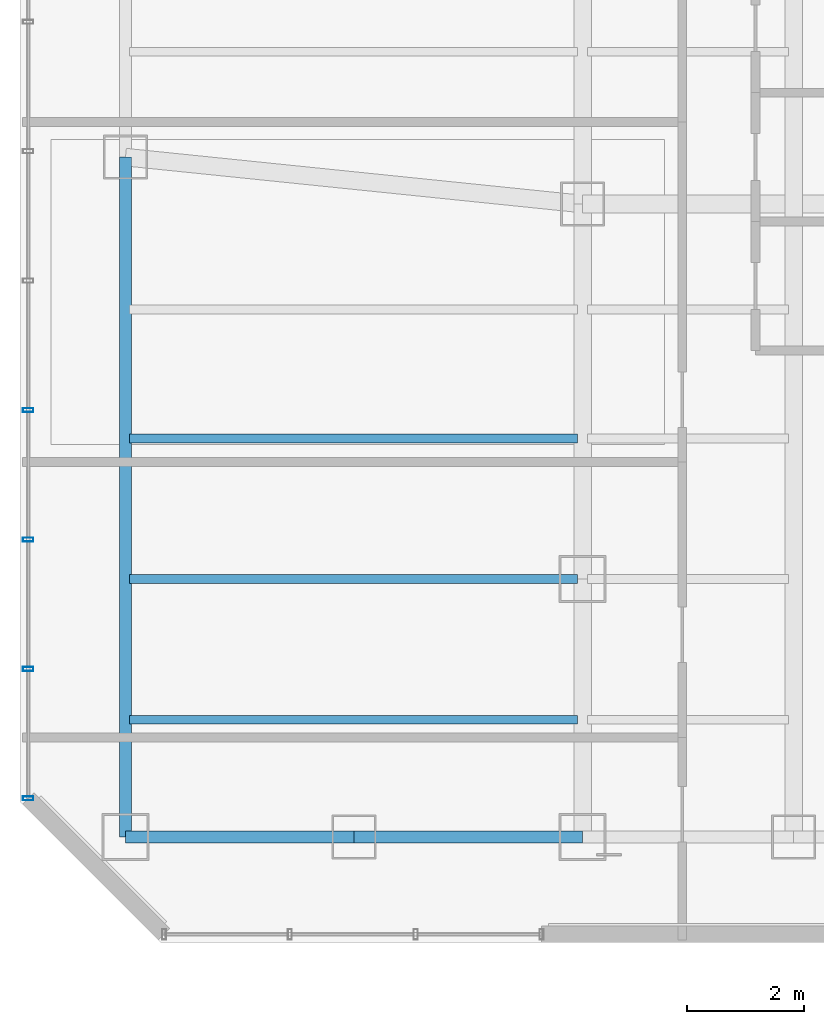
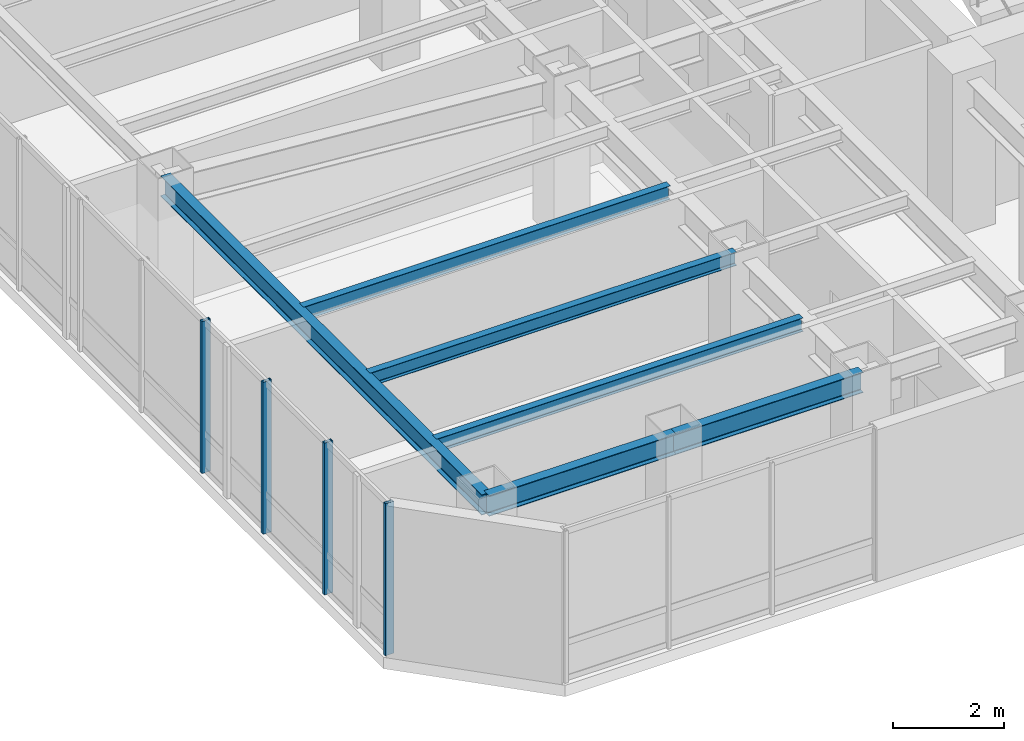
# One storey, part 4 of 27: 6 beams, 4 members, 1 element without a shape of its own.
"""IFC4 building model written with IfcOpenShell, lengths in metres."""

import ifcopenshell
import ifcopenshell.guid

model = None  # the IFC model being written
_history = None  # IfcOwnerHistory: only IFC2X3 demands one
_inside = {}  # id of a spatial element -> (the spatial element, [elements in it])
_under = {}  # id of a project, library or spatial element -> (it, [spatial elements below it])
_declared = {}  # id of a project -> (the project, [libraries it declares])
_typed = {}  # id of a type object -> (the type object, [elements of that type])
_made_of = {}  # id of a material, layer set ... -> (it, [elements and type objects made of it])


def new_model(schema):
    """Start an empty IFC model of exactly this schema.

    Asked for "IFC4X3", IfcOpenShell would pick the latest addendum, in which some entities
    have other attributes; the version numbers below select the first issue.
    IFC2X3 requires an IfcOwnerHistory on every rooted entity: one is made here for all.
    """
    global model, _history
    if schema == "IFC4X3":
        model = ifcopenshell.file(schema_version=(4, 3, 0, 0))
    else:
        model = ifcopenshell.file(schema=schema)
    _inside.clear()
    _under.clear()
    _declared.clear()
    _typed.clear()
    _made_of.clear()
    _history = None
    if model.schema == "IFC2X3":
        org = make("IfcOrganization", Name="unknown")
        user = make(
            "IfcPersonAndOrganization",
            ThePerson=make("IfcPerson", FamilyName="unknown"),
            TheOrganization=org,
        )
        app = make(
            "IfcApplication",
            ApplicationDeveloper=org,
            Version="unknown",
            ApplicationFullName="unknown",
            ApplicationIdentifier="unknown",
        )
        _history = make(
            "IfcOwnerHistory",
            OwningUser=user,
            OwningApplication=app,
            ChangeAction="ADDED",
            CreationDate=0,
        )
    return model


def make(cls, **values):
    """One entity of the class cls with the attributes given. An attribute that is None is left unset."""
    return model.create_entity(
        cls, **{name: value for name, value in values.items() if value is not None}
    )


def rooted(cls, **values):
    """An entity with a GlobalId (a new one), such as an element, a storey or a relation."""
    return make(cls, GlobalId=ifcopenshell.guid.new(), OwnerHistory=_history, **values)


def si_unit(unit_type, name, prefix=None):
    """IfcSIUnit, for example si_unit("LENGTHUNIT", "METRE", prefix="MILLI")."""
    return make("IfcSIUnit", UnitType=unit_type, Prefix=prefix, Name=name)


def assignment(units):
    """IfcUnitAssignment: the units of a project."""
    return None if units is None else make("IfcUnitAssignment", Units=units)


def point(xyz):
    """IfcCartesianPoint."""
    return None if xyz is None else make("IfcCartesianPoint", Coordinates=xyz)


def direction(xyz):
    """IfcDirection."""
    return None if xyz is None else make("IfcDirection", DirectionRatios=xyz)


def frame(location, z_axis=None, x_axis=None):
    """IfcAxis2Placement3D, a coordinate frame: its origin and axes. An axis left out is left unset."""
    return make(
        "IfcAxis2Placement3D",
        Location=point(location),
        Axis=direction(z_axis),
        RefDirection=direction(x_axis),
    )


def frame_2d(location, x_axis=None):
    """IfcAxis2Placement2D, a coordinate frame in the plane: its origin and x axis."""
    return make(
        "IfcAxis2Placement2D", Location=point(location), RefDirection=direction(x_axis)
    )


def origin():
    """The frame at (0, 0, 0) with its axes left unset."""
    return frame((0.0, 0.0, 0.0))


def origin_2d():
    """The frame at (0, 0) in the plane with its x axis left unset."""
    return frame_2d((0.0, 0.0))


def place(relative_to, where):
    """IfcLocalPlacement: puts the frame where relative to a parent placement (None: the world)."""
    return make(
        "IfcLocalPlacement", PlacementRelTo=relative_to, RelativePlacement=where
    )


def context(
    kind, dimensions, precision=None, world=None, true_north=None, identifier=None
):
    """IfcGeometricRepresentationContext, for example the 3D "Model" context."""
    return make(
        "IfcGeometricRepresentationContext",
        ContextIdentifier=identifier,
        ContextType=kind,
        CoordinateSpaceDimension=dimensions,
        Precision=precision,
        WorldCoordinateSystem=world,
        TrueNorth=true_north,
    )


def subcontext(parent, identifier, kind, view, scale=None):
    """IfcGeometricRepresentationSubContext, for example "Body" below "Model"."""
    return make(
        "IfcGeometricRepresentationSubContext",
        ContextIdentifier=identifier,
        ContextType=kind,
        ParentContext=parent,
        TargetScale=scale,
        TargetView=view,
    )


def project(units=None, contexts=None):
    """IfcProject with its units and contexts."""
    return rooted(
        "IfcProject",
        Name="project",
        RepresentationContexts=contexts,
        UnitsInContext=assignment(units),
    )


def spatial(cls, under=None, at=None, **own):
    """A site, building, storey or space (cls), placed at a placement, below another one or the project."""
    s = rooted(cls, ObjectPlacement=at, **own)
    if under is not None:
        _under.setdefault(under.id(), (under, []))[1].append(s)
    return s


def profile(cls, at=None, kind="AREA", **sizes):
    """A parametric profile (cls). Its sizes go by their IFC names, for example OverallWidth=200.0."""
    return make(cls, ProfileType=kind, Position=at, **sizes)


def hollow_rectangle(**sizes):
    """IfcRectangleHollowProfileDef."""
    return profile("IfcRectangleHollowProfileDef", **sizes)


def i_section(**sizes):
    """IfcIShapeProfileDef."""
    return profile("IfcIShapeProfileDef", **sizes)


def extrude(swept, where, along, depth):
    """IfcExtrudedAreaSolid: the profile swept, set in the frame where, extruded along a direction by depth."""
    return make(
        "IfcExtrudedAreaSolid",
        SweptArea=swept,
        Position=where,
        ExtrudedDirection=direction(along),
        Depth=depth,
    )


def shape(context_of_items, identifier, shape_type, items):
    """IfcShapeRepresentation: the items that make up one representation, for example the "Body"."""
    return make(
        "IfcShapeRepresentation",
        ContextOfItems=context_of_items,
        RepresentationIdentifier=identifier,
        RepresentationType=shape_type,
        Items=items,
    )


def material(Name=None, Category=None):
    """IfcMaterial."""
    return make("IfcMaterial", Name=Name, Category=Category)


def layer(
    of_material, thickness, ventilated=None, Name=None, Category=None, Priority=None
):
    """IfcMaterialLayer: one layer of a wall or slab, of a material (None: an air gap)."""
    return make(
        "IfcMaterialLayer",
        Material=of_material,
        LayerThickness=thickness,
        IsVentilated=ventilated,
        Name=Name,
        Category=Category,
        Priority=Priority,
    )


def layer_set(layers, Name=None):
    """IfcMaterialLayerSet."""
    return make("IfcMaterialLayerSet", MaterialLayers=layers, LayerSetName=Name)


def material_profile(
    of_material, cross_section, Name=None, Category=None, Priority=None
):
    """IfcMaterialProfile: a cross section and its material."""
    return make(
        "IfcMaterialProfile",
        Name=Name,
        Material=of_material,
        Profile=cross_section,
        Priority=Priority,
        Category=Category,
    )


def profile_set(profiles, Name=None, composite=None):
    """IfcMaterialProfileSet."""
    return make(
        "IfcMaterialProfileSet",
        Name=Name,
        MaterialProfiles=profiles,
        CompositeProfile=composite,
    )


def made_of(thing, what):
    """Note that an element or type object is made of a material, layer set ...; save() writes the relation."""
    if what is not None:
        _made_of.setdefault(what.id(), (what, []))[1].append(thing)
    return thing


def type_object(cls, material=None, **own):
    """A type object (cls), such as IfcWallType, which elements share."""
    return made_of(rooted(cls, **own), material)


def element(
    cls,
    number,
    at=None,
    inside=None,
    cuts=None,
    type_object=None,
    material=None,
    context=None,
    identifier="Body",
    shape_type=None,
    held_by="IfcProductDefinitionShape",
    body=None,
    shapes=None,
    **own,
):
    """One element of the class cls, such as IfcWall. Its Tag is "e" and its number.

    at: its placement. inside: the storey or other place that contains it. cuts: it is an
    opening in that element (IfcRelVoidsElement). A single representation is given by context,
    identifier, shape_type and body (its items); several are given by shapes. held_by: the class
    of the entity that holds the representations. save() writes the other relations.
    """
    e = rooted(cls, Tag="e%d" % number, ObjectPlacement=at, **own)
    if body is not None:
        shapes = [shape(context, identifier, shape_type, body)]
    if shapes is not None:
        e.Representation = make(held_by, Representations=shapes)
    if inside is not None:
        _inside.setdefault(inside.id(), (inside, []))[1].append(e)
    if cuts is not None:
        rooted(
            "IfcRelVoidsElement", RelatingBuildingElement=cuts, RelatedOpeningElement=e
        )
    if type_object is not None:
        _typed.setdefault(type_object.id(), (type_object, []))[1].append(e)
    return made_of(e, material)


def aggregate(whole, parts):
    """IfcRelAggregates: a whole, such as a stair, and the parts it consists of."""
    return rooted("IfcRelAggregates", RelatingObject=whole, RelatedObjects=parts)


def save(model, path):
    """Write the relations noted so far, then the file.

    IfcRelAggregates (storeys below a building ...), IfcRelContainedInSpatialStructure (elements
    in a storey), IfcRelDefinesByType, IfcRelAssociatesMaterial and IfcRelDeclares: one each for
    every whole, place, type object, material and project.
    """
    for whole, parts in _under.values():
        aggregate(whole, parts)
    for where, things in _inside.values():
        rooted(
            "IfcRelContainedInSpatialStructure",
            RelatedElements=things,
            RelatingStructure=where,
        )
    for kind, things in _typed.values():
        rooted("IfcRelDefinesByType", RelatedObjects=things, RelatingType=kind)
    for what, things in _made_of.values():
        rooted("IfcRelAssociatesMaterial", RelatedObjects=things, RelatingMaterial=what)
    for by, libraries in _declared.values():
        rooted("IfcRelDeclares", RelatingContext=by, RelatedDefinitions=libraries)
    model.write(path)


model = new_model("IFC4")

# Units and contexts
model_context = context("Model", 3, precision=1e-05, world=origin(), true_north=direction((0.0, 1.0)))
body_context = subcontext(model_context, "Body", "Model", "MODEL_VIEW")
ifc_project = project(units=[si_unit("LENGTHUNIT", "METRE"), si_unit("AREAUNIT", "SQUARE_METRE"), si_unit("VOLUMEUNIT", "CUBIC_METRE"), si_unit("PLANEANGLEUNIT", "RADIAN"), si_unit("MASSUNIT", "GRAM", prefix="KILO")], contexts=[model_context])

# Site, building, storey
site_placement = place(None, origin())
site = spatial("IfcSite", under=ifc_project, at=site_placement, CompositionType="ELEMENT")
building_placement = place(site_placement, origin())
building = spatial("IfcBuilding", under=site, at=building_placement, Name="Hatsunagi Terrace Concourse", CompositionType="ELEMENT")
storey_placement = place(building_placement, frame((0.0, 0.0, 163.64990234375)))
storey = spatial("IfcBuildingStorey", under=building, at=storey_placement, Name="L43", CompositionType="ELEMENT", Elevation=163.64990234375)

# Curtain wall, members
ifc_material_1 = material(Name="Anodised Aluminium Alloy 6063-T5", Category="aluminium")
ifc_layer = layer(ifc_material_1, 0.199951171875)
ifc_layer_set = layer_set([ifc_layer], Name="OfficeZone1_CW03")
curtain_wall_type = type_object("IfcCurtainWallType", Name="OfficeZone1_CW03", PredefinedType="NOTDEFINED", material=ifc_layer_set)
curtain_wall_placement = place(storey_placement, origin())
curtain_wall = element("IfcCurtainWall", 1, at=curtain_wall_placement, inside=storey, type_object=curtain_wall_type, Name="Unitised Curtain Wall CW-03 CW-L43-09", PredefinedType="NOTDEFINED")
ifc_material_2 = material(Name="Anodised Aluminium Alloy 6063-T5", Category="aluminium")
ifc_material_profile_1 = material_profile(ifc_material_2, hollow_rectangle(XDim=0.070068359375, YDim=0.179931640625, WallThickness=0.00390625, at=origin_2d()), Name="ALU-MUL-180x70x4")
ifc_profile_set_1 = profile_set([ifc_material_profile_1], Name="Anodised Aluminium Alloy 6063-T5")
member_type = type_object("IfcMemberType", Name="CurtainWallMullion_180x70", PredefinedType="MULLION", material=ifc_profile_set_1)
member_1_placement = place(storey_placement, frame((9.739990234375, 25.85791015625, 0.0), z_axis=(0.0, 0.0, 1.0), x_axis=(0.0, 1.0, 0.0)))
member_1 = element("IfcMember", 2, at=member_1_placement, type_object=member_type, Name="Curtain Wall Mullion MUL-02", PredefinedType="MULLION", context=body_context, shape_type="SweptSolid", body=[
    extrude(hollow_rectangle(XDim=0.070068359375, YDim=0.179931640625, WallThickness=0.00390625, at=origin_2d()), origin(), (0.0, 0.0, 1.0), 3.35009765625),
])
member_2_placement = place(storey_placement, frame((9.739990234375, 28.06591796875, 0.0), z_axis=(0.0, 0.0, 1.0), x_axis=(0.0, 1.0, 0.0)))
member_2 = element("IfcMember", 3, at=member_2_placement, type_object=member_type, Name="Curtain Wall Mullion MUL-02", PredefinedType="MULLION", context=body_context, shape_type="SweptSolid", body=[
    extrude(hollow_rectangle(XDim=0.070068359375, YDim=0.179931640625, WallThickness=0.00390625, at=origin_2d()), origin(), (0.0, 0.0, 1.0), 3.35009765625),
])
member_3_placement = place(storey_placement, frame((9.739990234375, 30.27490234375, 0.0), z_axis=(0.0, 0.0, 1.0), x_axis=(0.0, 1.0, 0.0)))
member_3 = element("IfcMember", 4, at=member_3_placement, type_object=member_type, Name="Curtain Wall Mullion MUL-02", PredefinedType="MULLION", context=body_context, shape_type="SweptSolid", body=[
    extrude(hollow_rectangle(XDim=0.070068359375, YDim=0.179931640625, WallThickness=0.00390625, at=origin_2d()), origin(), (0.0, 0.0, 1.0), 3.35009765625),
])
member_4_placement = place(storey_placement, frame((9.739990234375, 32.48291015625, 0.0), z_axis=(0.0, 0.0, 1.0), x_axis=(0.0, 1.0, 0.0)))
member_4 = element("IfcMember", 5, at=member_4_placement, type_object=member_type, Name="Curtain Wall Mullion MUL-02", PredefinedType="MULLION", context=body_context, shape_type="SweptSolid", body=[
    extrude(hollow_rectangle(XDim=0.070068359375, YDim=0.179931640625, WallThickness=0.00390625, at=origin_2d()), origin(), (0.0, 0.0, 1.0), 3.35009765625),
])
aggregate(curtain_wall, [member_1, member_2, member_3, member_4])

# Beams
ifc_material_3 = material(Name="Steel SN490B", Category="steel")
ifc_material_profile_2 = material_profile(ifc_material_3, i_section(OverallWidth=0.14990234375, OverallDepth=0.300048828125, WebThickness=0.006591796875, FlangeThickness=0.009033203125, FilletRadius=0.010986328125, at=origin_2d()), Name="H-300x150x6.5x9")
ifc_profile_set_2 = profile_set([ifc_material_profile_2], Name="Steel SN490B")
beam_type_1 = type_object("IfcBeamType", Name="OfficeJoist_H_300x150", PredefinedType="JOIST", material=ifc_profile_set_2)
for number, where, z_axis, x_axis, name in (
    (6, (11.465087890625, 27.199951171875, 3.2001953125), (1.0, 0.0, 0.0), (0.0, 1.0, 0.0), "Beam J-03 J-L43-W-11-272"),
    (7, (11.465087890625, 29.60009765625, 3.2001953125), (1.0, 0.0, 0.0), (0.0, 1.0, 0.0), "Beam J-03 J-L43-W-11-296"),
    (8, (11.465087890625, 32.0, 3.2001953125), (1.0, 0.0, 0.0), (0.0, 1.0, 0.0), "Beam J-03 J-L43-W-11-320"),
):
    element("IfcBeam", number, at=place(storey_placement, frame(where, z_axis=z_axis, x_axis=x_axis)), inside=storey, type_object=beam_type_1, Name=name, PredefinedType="JOIST", context=body_context, shape_type="SweptSolid", body=[
        extrude(i_section(OverallWidth=0.14990234375, OverallDepth=0.300048828125, WebThickness=0.006591796875, FlangeThickness=0.009033203125, FilletRadius=0.010986328125, at=origin_2d()), origin(), (0.0, 0.0, 1.0), 7.64990234375),
    ])
ifc_material_4 = material(Name="Steel SN490B", Category="steel")
ifc_material_profile_3 = material_profile(ifc_material_4, i_section(OverallWidth=0.199951171875, OverallDepth=0.449951171875, WebThickness=0.009033203125, FlangeThickness=0.013916015625, FilletRadius=0.01611328125, at=origin_2d()), Name="H-450x200x9x14")
ifc_profile_set_3 = profile_set([ifc_material_profile_3], Name="Steel SN490B")
beam_type_2 = type_object("IfcBeamType", Name="PerimeterSpandrel_H_450x200", PredefinedType="SPANDREL", material=ifc_profile_set_3)
beam_1_placement = place(storey_placement, frame((11.39990234375, 25.199951171875, 3.125), z_axis=(1.0, 0.0, 0.0), x_axis=(0.0, 1.0, 0.0)))
element("IfcBeam", 9, at=beam_1_placement, inside=storey, type_object=beam_type_2, Name="Beam SP-02 BM-L43-WS-11", PredefinedType="SPANDREL", context=body_context, shape_type="SweptSolid", body=[
    extrude(i_section(OverallWidth=0.199951171875, OverallDepth=0.449951171875, WebThickness=0.009033203125, FlangeThickness=0.013916015625, FilletRadius=0.01611328125, at=origin_2d()), origin(), (0.0, 0.0, 1.0), 3.900146484375),
])
beam_2_placement = place(storey_placement, frame((15.300048828125, 25.199951171875, 3.125), z_axis=(1.0, 0.0, 0.0), x_axis=(0.0, 1.0, 0.0)))
element("IfcBeam", 10, at=beam_2_placement, inside=storey, type_object=beam_type_2, Name="Beam SP-02 BM-L43-WS-15", PredefinedType="SPANDREL", context=body_context, shape_type="SweptSolid", body=[
    extrude(i_section(OverallWidth=0.199951171875, OverallDepth=0.449951171875, WebThickness=0.009033203125, FlangeThickness=0.013916015625, FilletRadius=0.01611328125, at=origin_2d()), origin(), (0.0, 0.0, 1.0), 3.89990234375),
])
beam_3_placement = place(storey_placement, frame((11.39990234375, 25.199951171875, 3.125), z_axis=(0.0, 1.0, 0.0), x_axis=(-1.0, 0.0, 0.0)))
element("IfcBeam", 11, at=beam_3_placement, inside=storey, type_object=beam_type_2, Name="Beam SP-02 BM-L43-NS-11-25", PredefinedType="SPANDREL", context=body_context, shape_type="SweptSolid", body=[
    extrude(i_section(OverallWidth=0.199951171875, OverallDepth=0.449951171875, WebThickness=0.009033203125, FlangeThickness=0.013916015625, FilletRadius=0.01611328125, at=origin_2d()), origin(), (0.0, 0.0, 1.0), 11.60009765625),
])

save(model, "model.ifc")
